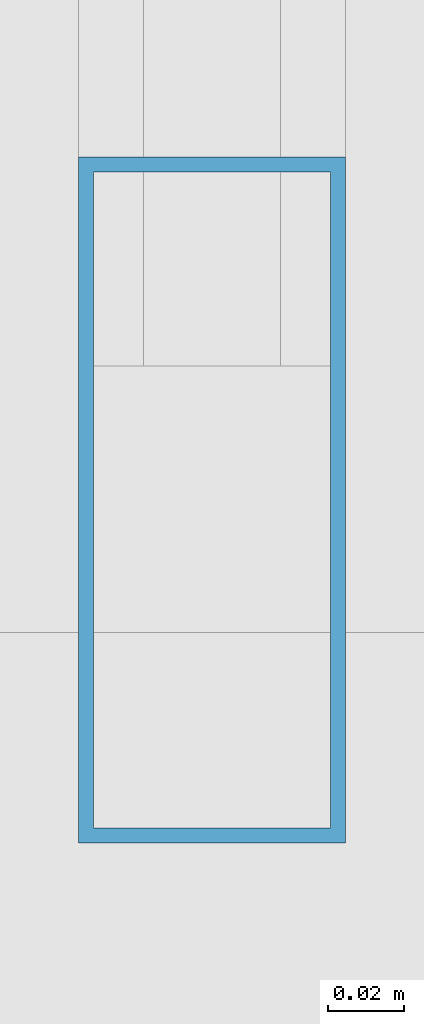
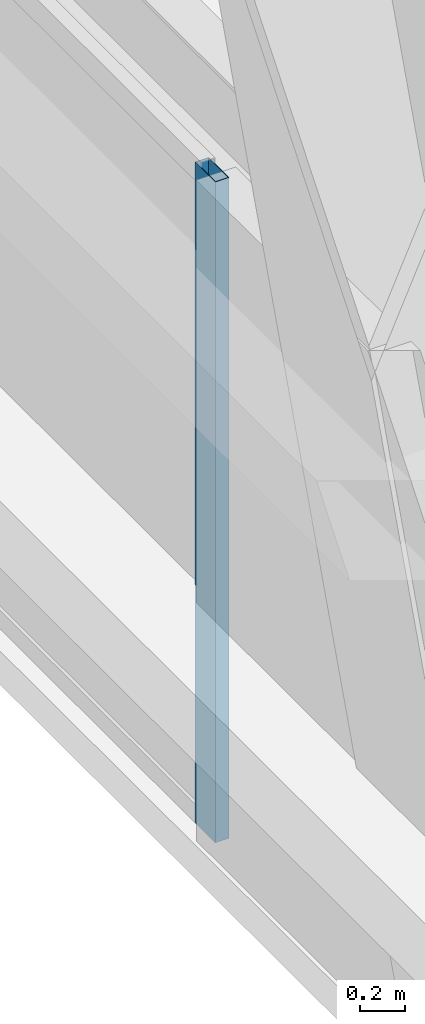
# One storey, part 9 of 55: 1 member, 1 element without a shape of its own.
"""IFC4 building model written with IfcOpenShell, lengths in metres."""

from ifc_helpers import new_model, si_unit, direction, frame, origin, origin_2d, place, context, subcontext, project, spatial, hollow_rectangle, extrude, material, material_profile, profile_set, type_object, element, aggregate, save


model = new_model("IFC4")

# Units and contexts
model_context = context("Model", 3, precision=1e-05, world=origin(), true_north=direction((0.0, 1.0)))
body_context = subcontext(model_context, "Body", "Model", "MODEL_VIEW")
ifc_project = project(units=[si_unit("LENGTHUNIT", "METRE"), si_unit("AREAUNIT", "SQUARE_METRE"), si_unit("VOLUMEUNIT", "CUBIC_METRE"), si_unit("PLANEANGLEUNIT", "RADIAN"), si_unit("MASSUNIT", "GRAM", prefix="KILO")], contexts=[model_context])

# Site, building, storey
site_placement = place(None, origin())
site = spatial("IfcSite", under=ifc_project, at=site_placement, CompositionType="ELEMENT")
building_placement = place(site_placement, origin())
building = spatial("IfcBuilding", under=site, at=building_placement, Name="Tashvorn Skyway Center", CompositionType="ELEMENT")
storey_placement = place(building_placement, frame((0.0, 0.0, 178.300048828125)))
storey = spatial("IfcBuildingStorey", under=building, at=storey_placement, Name="L48", CompositionType="ELEMENT", Elevation=178.300048828125)

# Curtain wall, member
ifc_material = material(Name="Thermally broken bronze-anodized aluminium 6063-T6", Category="aluminium")
curtain_wall_type = type_object("IfcCurtainWallType", Name="CW-CW-Z4", PredefinedType="NOTDEFINED", material=ifc_material)
curtain_wall_placement = place(storey_placement, origin())
curtain_wall = element("IfcCurtainWall", 1, at=curtain_wall_placement, inside=storey, type_object=curtain_wall_type, Name="Tower 1 L48 West Unitised Curtain Wall Glazing Group 2", PredefinedType="NOTDEFINED")
ifc_material_profile = material_profile(ifc_material, hollow_rectangle(XDim=0.070068359375, YDim=0.179931640625, WallThickness=0.00390625, at=origin_2d()), Name="ALU-MULL-70x180")
ifc_profile_set = profile_set([ifc_material_profile], Name="Thermally broken bronze-anodized aluminium 6063-T6")
member_type = type_object("IfcMemberType", Name="CWM-CW-Z4", PredefinedType="MULLION", material=ifc_profile_set)
member_placement = place(storey_placement, frame((24.320068359375, 26.908203125, 0.0), z_axis=(0.0, 0.0, 1.0), x_axis=(-1.0, 0.0, 0.0)))
member = element("IfcMember", 2, at=member_placement, type_object=member_type, Name="CW-Z4 mullion 1", PredefinedType="MULLION", context=body_context, shape_type="SweptSolid", body=[
    extrude(hollow_rectangle(XDim=0.070068359375, YDim=0.179931640625, WallThickness=0.00390625, at=origin_2d()), origin(), (0.0, 0.0, 1.0), 3.550048828125),
])
aggregate(curtain_wall, [member])

save(model, "model.ifc")
